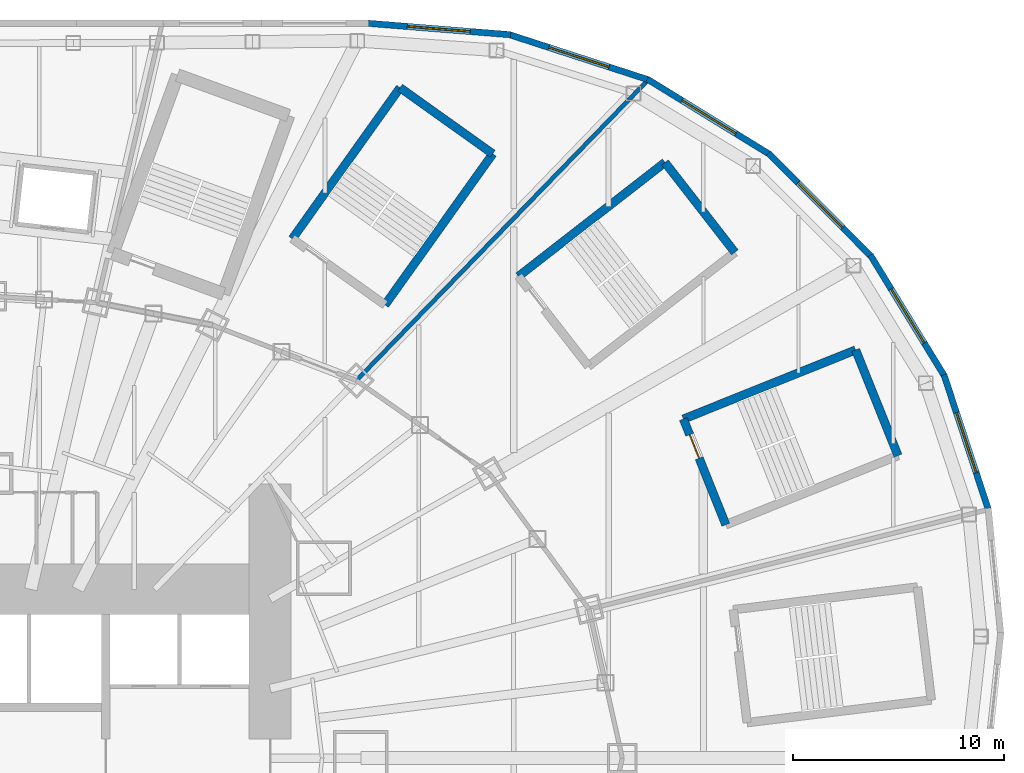
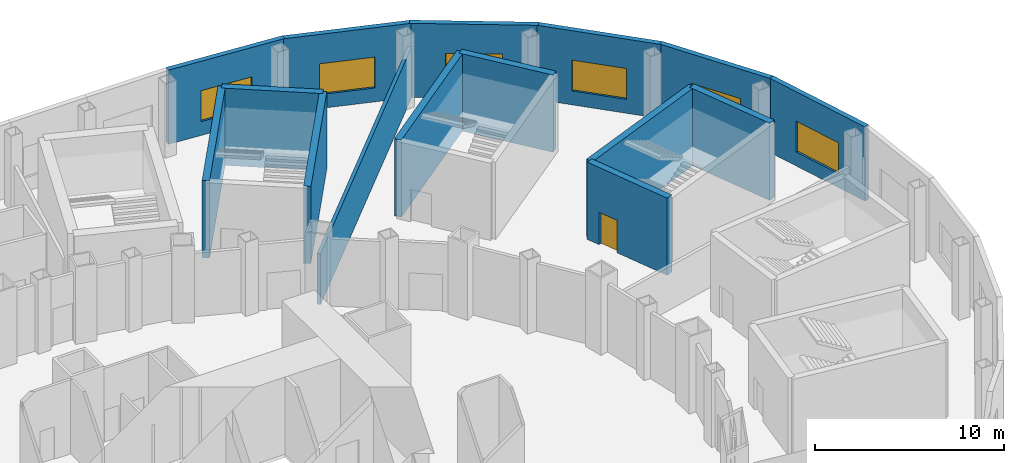
# One storey, part 18 of 73: 15 walls, 6 windows, 1 door, 7 openings.
"""IFC4 building model written with IfcOpenShell, lengths in metres."""

from ifc_helpers import new_model, si_unit, direction, frame, frame_2d, origin, place, context, subcontext, project, spatial, rectangle, extrude, material, layer, layer_set, type_object, element, fill, save


model = new_model("IFC4")

# Units and contexts
model_context = context("Model", 3, precision=1e-05, world=origin(), true_north=direction((0.0, 1.0)))
body_context = subcontext(model_context, "Body", "Model", "MODEL_VIEW")
ifc_project = project(units=[si_unit("LENGTHUNIT", "METRE"), si_unit("AREAUNIT", "SQUARE_METRE"), si_unit("VOLUMEUNIT", "CUBIC_METRE"), si_unit("PLANEANGLEUNIT", "RADIAN"), si_unit("MASSUNIT", "GRAM", prefix="KILO")], contexts=[model_context])

# Site, building, storey
site_placement = place(None, origin())
site = spatial("IfcSite", under=ifc_project, at=site_placement, CompositionType="ELEMENT")
building_placement = place(site_placement, origin())
building = spatial("IfcBuilding", under=site, at=building_placement, Name="Lantaw Convention Tower", CompositionType="ELEMENT")
storey_placement = place(building_placement, frame((0.0, 0.0, 27.0)))
storey = spatial("IfcBuildingStorey", under=building, at=storey_placement, Name="L04", CompositionType="ELEMENT", Elevation=27.0)

# Wall, opening, window
ifc_material_1 = material(Name="Precast concrete panel, pale aluminium rainscreen", Category="concrete")
ifc_layer_1 = layer(ifc_material_1, 0.300048828125)
ifc_layer_set_1 = layer_set([ifc_layer_1], Name="Podium external wall 300")
wall_type_1 = type_object("IfcWallType", Name="Podium external wall 300", PredefinedType="SOLIDWALL", material=ifc_layer_set_1)
wall_1_placement = place(storey_placement, frame((47.27978515625, 11.735595703125, 0.0), z_axis=(0.0, 0.0, 1.0), x_axis=(-0.31263149373, 0.94987449125, 0.0)))
wall_1 = element("IfcWall", 1, at=wall_1_placement, inside=storey, type_object=wall_type_1, Name="Podium facade wall", PredefinedType="SOLIDWALL", context=body_context, shape_type="SweptSolid", body=[
    extrude(rectangle(XDim=6.7861328125, YDim=0.300048828125, at=frame_2d((3.39306640625, 0.0))), origin(), (0.0, 0.0, 1.0), 4.800048828125),
])
opening_1_placement = place(wall_1_placement, frame((1.89306640625, 0.0, 0.89990234375)))
opening_1 = element("IfcOpeningElement", 2, at=opening_1_placement, cuts=wall_1, Name="Opening W3", PredefinedType="OPENING", context=body_context, shape_type="SweptSolid", body=[
    extrude(rectangle(XDim=3.0, YDim=2.0, at=frame_2d((1.5, 1.0))), frame((0.0, 0.159912109375, 0.0), z_axis=(0.0, -1.0, 0.0), x_axis=(1.0, 0.0, 0.0)), (0.0, 0.0, 1.0), 0.320068359375),
])
ifc_material_2 = material(Name="Aluminium frame, clear insulating glass", Category="aluminium")
window_type = type_object("IfcWindowType", Name="Podium window 3000x2000", PartitioningType="DOUBLE_PANEL_VERTICAL", PredefinedType="WINDOW", material=ifc_material_2)
window_1_placement = place(opening_1_placement, origin())
window_1 = element("IfcWindow", 3, at=window_1_placement, inside=storey, type_object=window_type, Name="Podium window", OverallHeight=2.0, OverallWidth=3.0, PartitioningType="SINGLE_PANEL", PredefinedType="WINDOW", context=body_context, shape_type="SweptSolid", body=[
    extrude(rectangle(XDim=3.0, YDim=2.0, at=frame_2d((1.5, 1.0))), frame((0.0, 0.030029296875, 0.0), z_axis=(0.0, -1.0, 0.0), x_axis=(1.0, 0.0, 0.0)), (0.0, 0.0, 1.0), 0.06005859375),
])
fill(opening_1, window_1)

wall_2_placement = place(storey_placement, frame((45.206298828125, 18.078125, 0.0), z_axis=(0.0, 0.0, 1.0), x_axis=(-0.52225340952, 0.852790347181, 0.0)))
wall_2 = element("IfcWall", 4, at=wall_2_placement, inside=storey, type_object=wall_type_1, Name="Podium facade wall", PredefinedType="SOLIDWALL", context=body_context, shape_type="SweptSolid", body=[
    extrude(rectangle(XDim=6.77099609375, YDim=0.300048828125, at=frame_2d((3.385498046875, 0.0))), origin(), (0.0, 0.0, 1.0), 4.800048828125),
])
opening_2_placement = place(wall_2_placement, frame((1.885498046875, 0.0, 0.89990234375)))
opening_2 = element("IfcOpeningElement", 5, at=opening_2_placement, cuts=wall_2, Name="Opening W3", PredefinedType="OPENING", context=body_context, shape_type="SweptSolid", body=[
    extrude(rectangle(XDim=3.0, YDim=2.0, at=frame_2d((1.5, 1.0))), frame((0.0, 0.159912109375, 0.0), z_axis=(0.0, -1.0, 0.0), x_axis=(1.0, 0.0, 0.0)), (0.0, 0.0, 1.0), 0.320068359375),
])
window_2_placement = place(opening_2_placement, origin())
window_2 = element("IfcWindow", 6, at=window_2_placement, inside=storey, type_object=window_type, Name="Podium window", OverallHeight=2.0, OverallWidth=3.0, PartitioningType="SINGLE_PANEL", PredefinedType="WINDOW", context=body_context, shape_type="SweptSolid", body=[
    extrude(rectangle(XDim=3.0, YDim=2.0, at=frame_2d((1.5, 1.0))), frame((0.0, 0.030029296875, 0.0), z_axis=(0.0, -1.0, 0.0), x_axis=(1.0, 0.0, 0.0)), (0.0, 0.0, 1.0), 0.06005859375),
])
fill(opening_2, window_2)

wall_3_placement = place(storey_placement, frame((41.740966796875, 23.762451171875, 0.0), z_axis=(0.0, 0.0, 1.0), x_axis=(-0.705874614645, 0.708336804352, 0.0)))
wall_3 = element("IfcWall", 7, at=wall_3_placement, inside=storey, type_object=wall_type_1, Name="Podium facade wall", PredefinedType="SOLIDWALL", context=body_context, shape_type="SweptSolid", body=[
    extrude(rectangle(XDim=6.94091796875, YDim=0.300048828125, at=frame_2d((3.470458984375, 0.0))), origin(), (0.0, 0.0, 1.0), 4.800048828125),
])
opening_3_placement = place(wall_3_placement, frame((1.970458984375, 0.0, 0.89990234375)))
opening_3 = element("IfcOpeningElement", 8, at=opening_3_placement, cuts=wall_3, Name="Opening W3", PredefinedType="OPENING", context=body_context, shape_type="SweptSolid", body=[
    extrude(rectangle(XDim=3.0, YDim=2.0, at=frame_2d((1.5, 1.0))), frame((0.0, 0.159912109375, 0.0), z_axis=(0.0, -1.0, 0.0), x_axis=(1.0, 0.0, 0.0)), (0.0, 0.0, 1.0), 0.320068359375),
])
window_3_placement = place(opening_3_placement, origin())
window_3 = element("IfcWindow", 9, at=window_3_placement, inside=storey, type_object=window_type, Name="Podium window", OverallHeight=2.0, OverallWidth=3.0, PartitioningType="SINGLE_PANEL", PredefinedType="WINDOW", context=body_context, shape_type="SweptSolid", body=[
    extrude(rectangle(XDim=3.0, YDim=2.0, at=frame_2d((1.5, 1.0))), frame((0.0, 0.030029296875, 0.0), z_axis=(0.0, -1.0, 0.0), x_axis=(1.0, 0.0, 0.0)), (0.0, 0.0, 1.0), 0.06005859375),
])
fill(opening_3, window_3)

wall_4_placement = place(storey_placement, frame((36.931640625, 28.60791015625, 0.0), z_axis=(0.0, 0.0, 1.0), x_axis=(-0.851808565246, 0.52385319334, 0.0)))
wall_4 = element("IfcWall", 10, at=wall_4_placement, inside=storey, type_object=wall_type_1, Name="Podium facade wall", PredefinedType="SOLIDWALL", context=body_context, shape_type="SweptSolid", body=[
    extrude(rectangle(XDim=6.860595703125, YDim=0.300048828125, at=frame_2d((3.43017578125, 0.0))), origin(), (0.0, 0.0, 1.0), 4.800048828125),
])
opening_4_placement = place(wall_4_placement, frame((1.930419921875, 0.0, 0.89990234375)))
opening_4 = element("IfcOpeningElement", 11, at=opening_4_placement, cuts=wall_4, Name="Opening W3", PredefinedType="OPENING", context=body_context, shape_type="SweptSolid", body=[
    extrude(rectangle(XDim=3.0, YDim=2.0, at=frame_2d((1.5, 1.0))), frame((0.0, 0.159912109375, 0.0), z_axis=(0.0, -1.0, 0.0), x_axis=(1.0, 0.0, 0.0)), (0.0, 0.0, 1.0), 0.320068359375),
])
window_4_placement = place(opening_4_placement, origin())
window_4 = element("IfcWindow", 12, at=window_4_placement, inside=storey, type_object=window_type, Name="Podium window", OverallHeight=2.0, OverallWidth=3.0, PartitioningType="SINGLE_PANEL", PredefinedType="WINDOW", context=body_context, shape_type="SweptSolid", body=[
    extrude(rectangle(XDim=3.0, YDim=2.0, at=frame_2d((1.5, 1.0))), frame((0.0, 0.030029296875, 0.0), z_axis=(0.0, -1.0, 0.0), x_axis=(1.0, 0.0, 0.0)), (0.0, 0.0, 1.0), 0.06005859375),
])
fill(opening_4, window_4)

wall_5_placement = place(storey_placement, frame((31.19189453125, 32.15380859375, 0.0), z_axis=(0.0, 0.0, 1.0), x_axis=(-0.951140010357, 0.308759907853, 0.0)))
wall_5 = element("IfcWall", 13, at=wall_5_placement, inside=storey, type_object=wall_type_1, Name="Podium facade wall", PredefinedType="SOLIDWALL", context=body_context, shape_type="SweptSolid", body=[
    extrude(rectangle(XDim=7.041259765625, YDim=0.300048828125, at=frame_2d((3.5205078125, 0.0))), origin(), (0.0, 0.0, 1.0), 4.800048828125),
])
opening_5_placement = place(wall_5_placement, frame((2.020751953125, 0.0, 0.89990234375)))
opening_5 = element("IfcOpeningElement", 14, at=opening_5_placement, cuts=wall_5, Name="Opening W3", PredefinedType="OPENING", context=body_context, shape_type="SweptSolid", body=[
    extrude(rectangle(XDim=3.0, YDim=2.0, at=frame_2d((1.5, 1.0))), frame((0.0, 0.159912109375, 0.0), z_axis=(0.0, -1.0, 0.0), x_axis=(1.0, 0.0, 0.0)), (0.0, 0.0, 1.0), 0.320068359375),
])
window_5_placement = place(opening_5_placement, origin())
window_5 = element("IfcWindow", 15, at=window_5_placement, inside=storey, type_object=window_type, Name="Podium window", OverallHeight=2.0, OverallWidth=3.0, PartitioningType="SINGLE_PANEL", PredefinedType="WINDOW", context=body_context, shape_type="SweptSolid", body=[
    extrude(rectangle(XDim=3.0, YDim=2.0, at=frame_2d((1.5, 1.0))), frame((0.0, 0.030029296875, 0.0), z_axis=(0.0, -1.0, 0.0), x_axis=(1.0, 0.0, 0.0)), (0.0, 0.0, 1.0), 0.06005859375),
])
fill(opening_5, window_5)

wall_6_placement = place(storey_placement, frame((24.606689453125, 34.3056640625, 0.0), z_axis=(0.0, 0.0, 1.0), x_axis=(-0.996791084449, 0.080047073422, 0.0)))
wall_6 = element("IfcWall", 16, at=wall_6_placement, inside=storey, type_object=wall_type_1, Name="Podium facade wall", PredefinedType="SOLIDWALL", context=body_context, shape_type="SweptSolid", body=[
    extrude(rectangle(XDim=6.84716796875, YDim=0.300048828125, at=frame_2d((3.423583984375, 0.0))), origin(), (0.0, 0.0, 1.0), 4.800048828125),
])
opening_6_placement = place(wall_6_placement, frame((1.923583984375, 0.0, 0.89990234375)))
opening_6 = element("IfcOpeningElement", 17, at=opening_6_placement, cuts=wall_6, Name="Opening W3", PredefinedType="OPENING", context=body_context, shape_type="SweptSolid", body=[
    extrude(rectangle(XDim=3.0, YDim=2.0, at=frame_2d((1.5, 1.0))), frame((0.0, 0.159912109375, 0.0), z_axis=(0.0, -1.0, 0.0), x_axis=(1.0, 0.0, 0.0)), (0.0, 0.0, 1.0), 0.320068359375),
])
window_6_placement = place(opening_6_placement, origin())
window_6 = element("IfcWindow", 18, at=window_6_placement, inside=storey, type_object=window_type, Name="Podium window", OverallHeight=2.0, OverallWidth=3.0, PartitioningType="SINGLE_PANEL", PredefinedType="WINDOW", context=body_context, shape_type="SweptSolid", body=[
    extrude(rectangle(XDim=3.0, YDim=2.0, at=frame_2d((1.5, 1.0))), frame((0.0, 0.030029296875, 0.0), z_axis=(0.0, -1.0, 0.0), x_axis=(1.0, 0.0, 0.0)), (0.0, 0.0, 1.0), 0.06005859375),
])
fill(opening_6, window_6)

# Walls
ifc_material_3 = material(Name="Concrete blockwork", Category="masonry")
ifc_layer_2 = layer(ifc_material_3, 0.199951171875)
ifc_layer_set_2 = layer_set([ifc_layer_2], Name="Podium partition 200")
wall_type_2 = type_object("IfcWallType", Name="Podium partition 200", PredefinedType="SOLIDWALL", material=ifc_layer_set_2)
wall_7_placement = place(storey_placement, frame((17.290771484375, 17.9052734375, 0.0), z_axis=(0.0, 0.0, 1.0), x_axis=(0.696460684513, 0.717594951855, 0.0)))
element("IfcWall", 19, at=wall_7_placement, inside=storey, type_object=wall_type_2, Name="Podium partition 200", PredefinedType="SOLIDWALL", context=body_context, shape_type="SweptSolid", body=[
    extrude(rectangle(XDim=19.880859375, YDim=0.199951171875, at=frame_2d((9.9404296875, 0.0))), origin(), (0.0, 0.0, 1.0), 3.300048828125),
])
ifc_material_4 = material(Name="Concrete C40/50, stair core", Category="concrete")
ifc_layer_3 = layer(ifc_material_4, 0.39990234375)
ifc_layer_set_3 = layer_set([ifc_layer_3], Name="Stair enclosure wall 400 EI 120")
wall_type_3 = type_object("IfcWallType", Name="Stair enclosure wall 400 EI 120", PredefinedType="SHEAR", material=ifc_layer_set_3)
wall_8_placement = place(storey_placement, frame((42.978271484375, 14.34375, 0.0), z_axis=(0.0, 0.0, 1.0), x_axis=(-0.372544066459, 0.928014503414, 0.0)))
element("IfcWall", 20, at=wall_8_placement, inside=storey, type_object=wall_type_3, Name="Stair enclosure wall", PredefinedType="SHEAR", context=body_context, shape_type="SweptSolid", body=[
    extrude(rectangle(XDim=5.39990234375, YDim=0.39990234375, at=frame_2d((2.699951171875, 0.0))), origin(), (0.0, 0.0, 1.0), 5.0),
])
wall_9_placement = place(storey_placement, frame((40.966552734375, 19.35498046875, 0.0), z_axis=(0.0, 0.0, 1.0), x_axis=(-0.92801678004, -0.372538395288, 0.0)))
element("IfcWall", 21, at=wall_9_placement, inside=storey, type_object=wall_type_3, Name="Stair enclosure wall", PredefinedType="SHEAR", context=body_context, shape_type="SweptSolid", body=[
    extrude(rectangle(XDim=8.800048828125, YDim=0.39990234375, at=frame_2d((4.39990234375, 0.0))), origin(), (0.0, 0.0, 1.0), 5.0),
])

# Wall, opening, door
wall_10_placement = place(storey_placement, frame((32.800048828125, 16.07666015625, 0.0), z_axis=(0.0, 0.0, 1.0), x_axis=(0.372544066459, -0.928014503414, 0.0)))
wall_10 = element("IfcWall", 22, at=wall_10_placement, inside=storey, type_object=wall_type_3, Name="Stair enclosure wall", PredefinedType="SHEAR", context=body_context, shape_type="SweptSolid", body=[
    extrude(rectangle(XDim=5.39990234375, YDim=0.39990234375, at=frame_2d((2.699951171875, 0.0))), origin(), (0.0, 0.0, 1.0), 5.0),
])
opening_7_placement = place(wall_10_placement, frame((0.800048828125, 0.0, 0.0)))
opening_7 = element("IfcOpeningElement", 23, at=opening_7_placement, cuts=wall_10, Name="Opening L04.P2", PredefinedType="OPENING", context=body_context, shape_type="SweptSolid", body=[
    extrude(rectangle(XDim=1.199951171875, YDim=2.10009765625, at=frame_2d((0.60009765625, 1.050048828125))), frame((0.0, 0.2099609375, 0.0), z_axis=(0.0, -1.0, 0.0), x_axis=(1.0, 0.0, 0.0)), (0.0, 0.0, 1.0), 0.419921875),
])
ifc_material_5 = material(Name="Steel, fire rated", Category="steel")
door_type = type_object("IfcDoorType", Name="Stair door FD90", OperationType="SINGLE_SWING_RIGHT", PredefinedType="DOOR", material=ifc_material_5)
door_placement = place(opening_7_placement, origin())
door = element("IfcDoor", 24, at=door_placement, inside=storey, type_object=door_type, Name="Exit stair door", OperationType="SINGLE_SWING_RIGHT", OverallHeight=2.10009765625, OverallWidth=1.199951171875, PredefinedType="DOOR", context=body_context, shape_type="SweptSolid", body=[
    extrude(rectangle(XDim=1.199951171875, YDim=2.10009765625, at=frame_2d((0.60009765625, 1.050048828125))), frame((0.0, 0.02490234375, 0.0), z_axis=(0.0, -1.0, 0.0), x_axis=(1.0, 0.0, 0.0)), (0.0, 0.0, 1.0), 0.050048828125),
])
fill(opening_7, door)

# Walls
wall_11_placement = place(storey_placement, frame((35.2392578125, 23.9853515625, 0.0), z_axis=(0.0, 0.0, 1.0), x_axis=(-0.613912443548, 0.789374126544, 0.0)))
element("IfcWall", 25, at=wall_11_placement, inside=storey, type_object=wall_type_3, Name="Stair enclosure wall", PredefinedType="SHEAR", context=body_context, shape_type="SweptSolid", body=[
    extrude(rectangle(XDim=5.400146484375, YDim=0.39990234375, at=frame_2d((2.7001953125, 0.0))), origin(), (0.0, 0.0, 1.0), 5.0),
])
wall_12_placement = place(storey_placement, frame((31.924072265625, 28.248046875, 0.0), z_axis=(0.0, 0.0, 1.0), x_axis=(-0.78938060008, -0.613904119726, 0.0)))
element("IfcWall", 26, at=wall_12_placement, inside=storey, type_object=wall_type_3, Name="Stair enclosure wall", PredefinedType="SHEAR", context=body_context, shape_type="SweptSolid", body=[
    extrude(rectangle(XDim=8.800048828125, YDim=0.39990234375, at=frame_2d((4.39990234375, 0.0))), origin(), (0.0, 0.0, 1.0), 5.0),
])
wall_13_placement = place(storey_placement, frame((18.647216796875, 21.492919921875, 0.0), z_axis=(0.0, 0.0, 1.0), x_axis=(0.580705313356, 0.814113836659, 0.0)))
element("IfcWall", 27, at=wall_13_placement, inside=storey, type_object=wall_type_3, Name="Stair enclosure wall", PredefinedType="SHEAR", context=body_context, shape_type="SweptSolid", body=[
    extrude(rectangle(XDim=8.7998046875, YDim=0.39990234375, at=frame_2d((4.39990234375, 0.0))), origin(), (0.0, 0.0, 1.0), 5.0),
])
wall_14_placement = place(storey_placement, frame((23.75732421875, 28.656982421875, 0.0), z_axis=(0.0, 0.0, 1.0), x_axis=(-0.814121252423, 0.580694916762, 0.0)))
element("IfcWall", 28, at=wall_14_placement, inside=storey, type_object=wall_type_3, Name="Stair enclosure wall", PredefinedType="SHEAR", context=body_context, shape_type="SweptSolid", body=[
    extrude(rectangle(XDim=5.39990234375, YDim=0.39990234375, at=frame_2d((2.699951171875, 0.0))), origin(), (0.0, 0.0, 1.0), 5.0),
])
wall_15_placement = place(storey_placement, frame((19.361083984375, 31.792724609375, 0.0), z_axis=(0.0, 0.0, 1.0), x_axis=(-0.580705313356, -0.814113836659, 0.0)))
element("IfcWall", 29, at=wall_15_placement, inside=storey, type_object=wall_type_3, Name="Stair enclosure wall", PredefinedType="SHEAR", context=body_context, shape_type="SweptSolid", body=[
    extrude(rectangle(XDim=8.7998046875, YDim=0.39990234375, at=frame_2d((4.39990234375, 0.0))), origin(), (0.0, 0.0, 1.0), 5.0),
])

save(model, "model.ifc")
